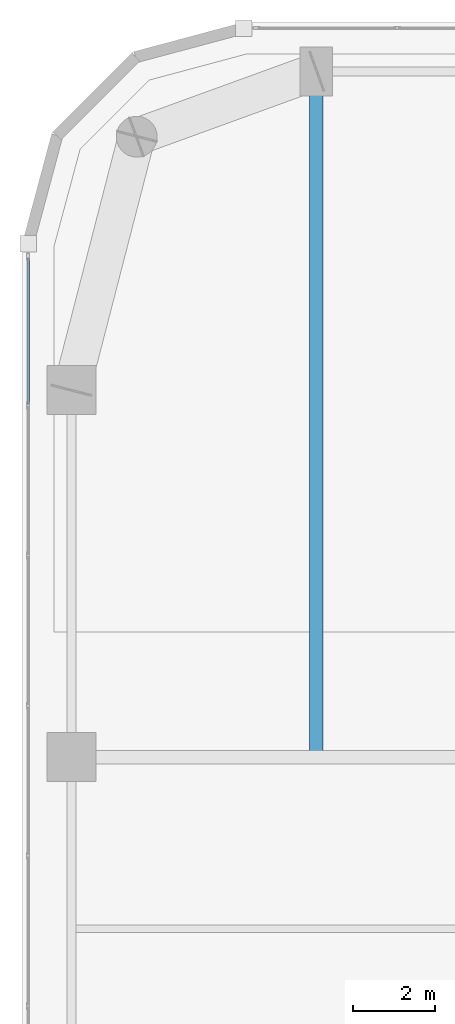
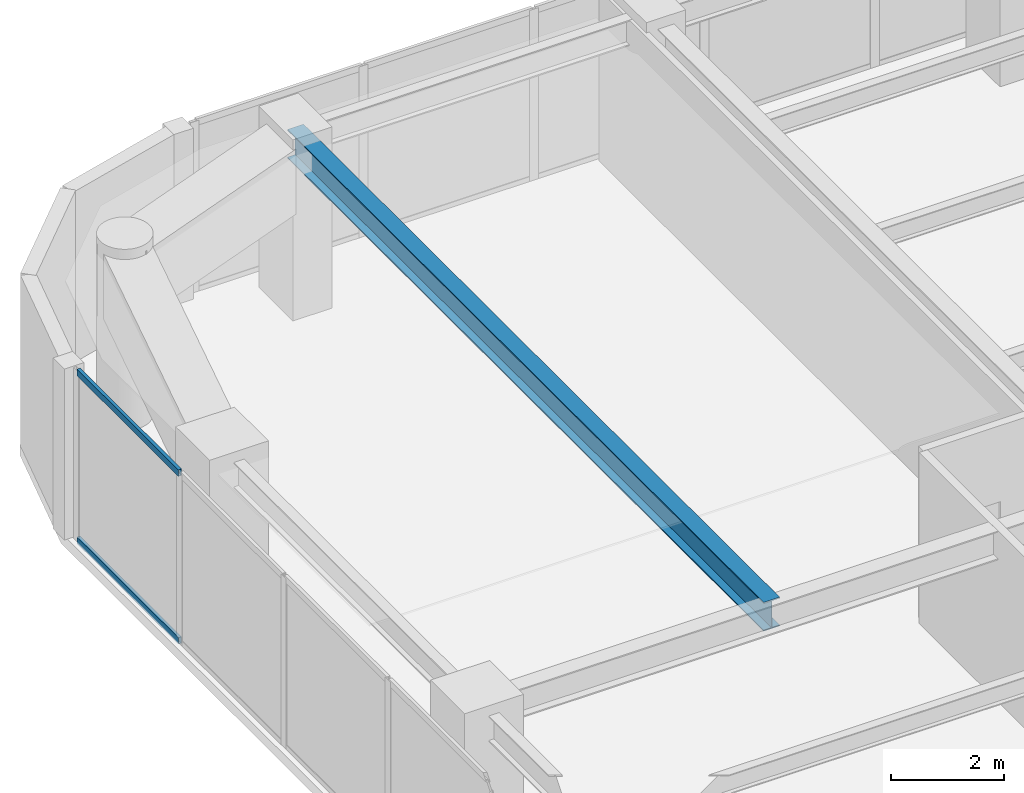
# One storey, part 14 of 30: 2 members, 1 beam, 1 element without a shape of its own.
"""IFC4 building model written with IfcOpenShell, lengths in metres."""

from ifc_helpers import new_model, si_unit, direction, frame, origin, origin_2d, place, context, subcontext, project, spatial, hollow_rectangle, i_section, extrude, material, layer, layer_set, material_profile, profile_set, type_object, element, aggregate, save


model = new_model("IFC4")

# Units and contexts
model_context = context("Model", 3, precision=1e-05, world=origin(), true_north=direction((0.0, 1.0)))
body_context = subcontext(model_context, "Body", "Model", "MODEL_VIEW")
ifc_project = project(units=[si_unit("LENGTHUNIT", "METRE"), si_unit("AREAUNIT", "SQUARE_METRE"), si_unit("VOLUMEUNIT", "CUBIC_METRE"), si_unit("PLANEANGLEUNIT", "RADIAN"), si_unit("MASSUNIT", "GRAM", prefix="KILO")], contexts=[model_context])

# Site, building, storey
site_placement = place(None, origin())
site = spatial("IfcSite", under=ifc_project, at=site_placement, CompositionType="ELEMENT")
building_placement = place(site_placement, origin())
building = spatial("IfcBuilding", under=site, at=building_placement, Name="Kiyonajd Concourse Tower", CompositionType="ELEMENT")
storey_placement = place(building_placement, frame((0.0, 0.0, 170.10009765625)))
storey = spatial("IfcBuildingStorey", under=building, at=storey_placement, Name="L43", CompositionType="ELEMENT", Elevation=170.10009765625)

# Beam
ifc_material_1 = material(Name="Steel ASTM A992 Grade 50", Category="steel")
ifc_material_profile_1 = material_profile(ifc_material_1, i_section(OverallWidth=0.326904296875, OverallDepth=0.6220703125, WebThickness=0.015380859375, FlangeThickness=0.0244140625, at=origin_2d()), Name="W610X195")
ifc_profile_set_1 = profile_set([ifc_material_profile_1], Name="Steel ASTM A992 Grade 50")
beam_type = type_object("IfcBeamType", Name="BM-TWR-610A", PredefinedType="BEAM", material=ifc_profile_set_1)
beam_placement = place(storey_placement, frame((25.199951171875, 44.39990234375, 3.368896484375), z_axis=(0.0, 1.0, 0.0), x_axis=(-1.0, 0.0, 0.0)))
element("IfcBeam", 1, at=beam_placement, inside=storey, type_object=beam_type, Name="L43 North Lease Girder", PredefinedType="BEAM", context=body_context, shape_type="SweptSolid", body=[
    extrude(i_section(OverallWidth=0.326904296875, OverallDepth=0.6220703125, WebThickness=0.015380859375, FlangeThickness=0.0244140625, at=origin_2d()), origin(), (0.0, 0.0, 1.0), 16.800048828125),
])

# Curtain wall, members
ifc_material_2 = material(Name="Thermally Broken Anodised Aluminium", Category="aluminium")
ifc_layer = layer(ifc_material_2, 0.179931640625)
ifc_layer_set = layer_set([ifc_layer], Name="Thermally Broken Anodised Aluminium")
curtain_wall_type = type_object("IfcCurtainWallType", Name="CW-SYS-03", PredefinedType="NOTDEFINED", material=ifc_layer_set)
curtain_wall_placement = place(storey_placement, origin())
curtain_wall = element("IfcCurtainWall", 2, at=curtain_wall_placement, inside=storey, type_object=curtain_wall_type, Name="L43 Unitised Curtain Wall CW3", PredefinedType="NOTDEFINED")
ifc_material_profile_2 = material_profile(ifc_material_2, hollow_rectangle(XDim=0.06494140625, YDim=0.139892578125, WallThickness=0.00390625, at=origin_2d()), Name="TRAN-65x140")
ifc_profile_set_2 = profile_set([ifc_material_profile_2], Name="Thermally Broken Anodised Aluminium")
member_type = type_object("IfcMemberType", Name="MB-CW-TRAN1", PredefinedType="USERDEFINED", material=ifc_profile_set_2)
member_1_placement = place(storey_placement, frame((18.139892578125, 53.047119140625, 0.032470703125), z_axis=(0.0, 1.0, 0.0), x_axis=(-1.0, 0.0, 0.0)))
member_1 = element("IfcMember", 3, at=member_1_placement, type_object=member_type, Name="CW3 transom 6.1", ObjectType="TRANSOM", PredefinedType="USERDEFINED", context=body_context, shape_type="SweptSolid", body=[
    extrude(hollow_rectangle(XDim=0.06494140625, YDim=0.139892578125, WallThickness=0.00390625, at=origin_2d()), origin(), (0.0, 0.0, 1.0), 3.57958984375),
])
member_2_placement = place(storey_placement, frame((18.139892578125, 53.047119140625, 3.6474609375), z_axis=(0.0, 1.0, 0.0), x_axis=(-1.0, 0.0, 0.0)))
member_2 = element("IfcMember", 4, at=member_2_placement, type_object=member_type, Name="CW3 transom 6.2", ObjectType="TRANSOM", PredefinedType="USERDEFINED", context=body_context, shape_type="SweptSolid", body=[
    extrude(hollow_rectangle(XDim=0.06494140625, YDim=0.139892578125, WallThickness=0.00390625, at=origin_2d()), origin(), (0.0, 0.0, 1.0), 3.57958984375),
])
aggregate(curtain_wall, [member_1, member_2])

save(model, "model.ifc")
